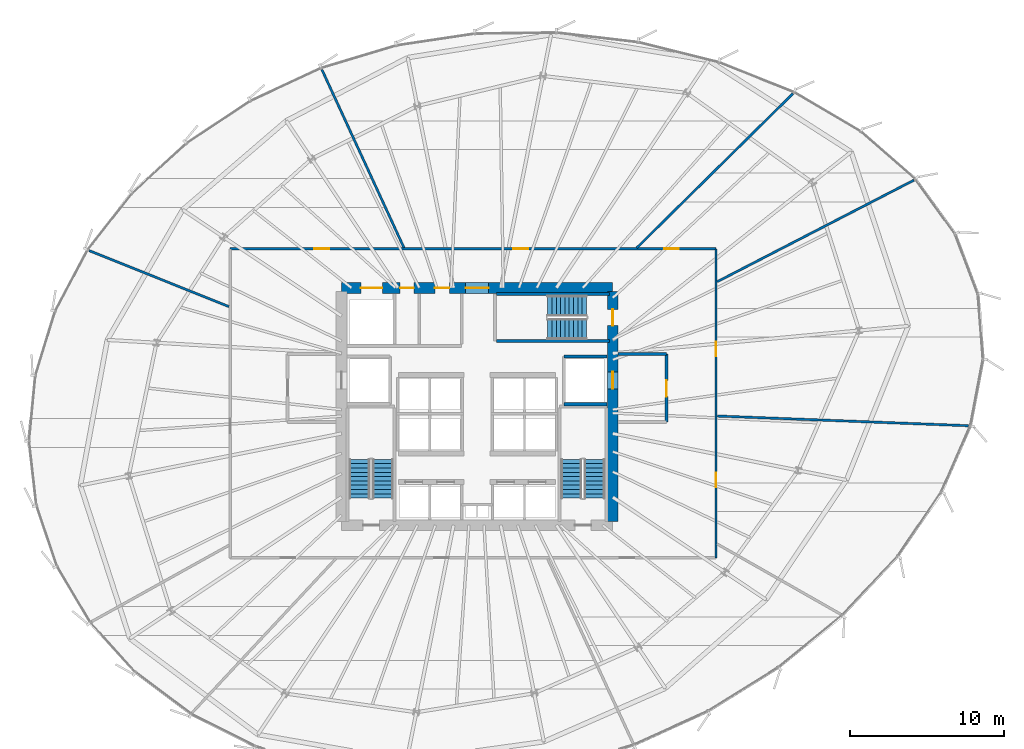
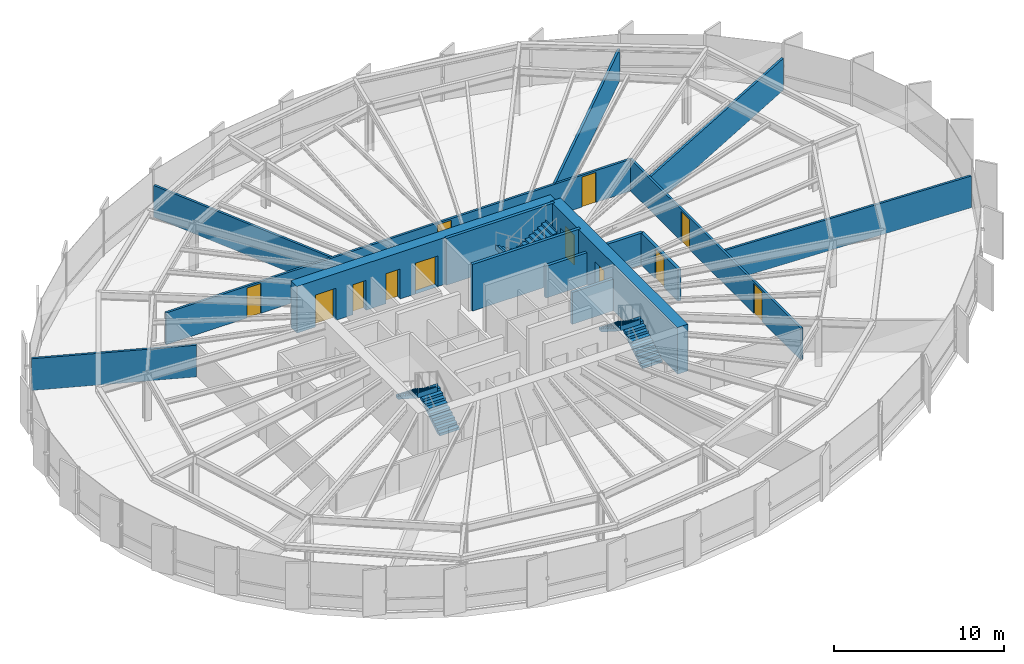
# One storey, part 30 of 35: 15 walls, 12 doors, 6 stair flights, 12 openings, 3 elements without a shape of their own.
"""IFC4 building model written with IfcOpenShell, lengths in metres."""

from ifc_helpers import new_model, si_unit, direction, frame, frame_2d, origin, place, context, subcontext, project, spatial, polyline, rectangle, outline, extrude, source, transform, mapped, material, layer, layer_set, type_object, element, fill, aggregate, save


model = new_model("IFC4")

# Units and contexts
model_context = context("Model", 3, precision=1e-05, world=origin(), true_north=direction((0.0, 1.0)))
body_context = subcontext(model_context, "Body", "Model", "MODEL_VIEW")
ifc_project = project(units=[si_unit("LENGTHUNIT", "METRE"), si_unit("AREAUNIT", "SQUARE_METRE"), si_unit("VOLUMEUNIT", "CUBIC_METRE"), si_unit("PLANEANGLEUNIT", "RADIAN"), si_unit("MASSUNIT", "GRAM", prefix="KILO"), si_unit("THERMODYNAMICTEMPERATUREUNIT", "KELVIN")], contexts=[model_context])

# Site, building, storey
site_placement = place(None, origin())
site = spatial("IfcSite", under=ifc_project, at=site_placement, CompositionType="ELEMENT")
building_placement = place(site_placement, origin())
building = spatial("IfcBuilding", under=site, at=building_placement, Name="Kethvar Cultural Tower", CompositionType="ELEMENT")
storey_placement = place(building_placement, frame((0.0, 0.0, 85.60009765625)))
storey = spatial("IfcBuildingStorey", under=building, at=storey_placement, Name="L20", CompositionType="ELEMENT", Elevation=85.60009765625)

# Wall, openings, doors
ifc_material_1 = material(Name="Concrete C60/75", Category="concrete")
ifc_layer_1 = layer(ifc_material_1, 0.699951171875, Name="Concrete C60/75", Category="concrete")
ifc_layer_set_1 = layer_set([ifc_layer_1], Name="Concrete C60/75 (700 mm)")
wall_type_1 = type_object("IfcWallType", Name="WL-CORE-700", PredefinedType="SHEAR", material=ifc_layer_set_1)
wall_1_placement = place(storey_placement, frame((55.60009765625, 35.5, 0.0), z_axis=(0.0, 0.0, 1.0), x_axis=(-1.0, 0.0, 0.0)))
wall_1 = element("IfcWall", 1, at=wall_1_placement, inside=storey, type_object=wall_type_1, Name="L20 Core Shear Wall N", PredefinedType="SHEAR", context=body_context, shape_type="SweptSolid", body=[
    extrude(rectangle(XDim=17.60009765625, YDim=0.699951171875, at=frame_2d((8.800048828125, 0.0))), origin(), (0.0, 0.0, 1.0), 3.349853515625),
])
opening_1_placement = place(wall_1_placement, frame((8.050048828125, 0.0, 0.0)))
opening_1 = element("IfcOpeningElement", 2, at=opening_1_placement, cuts=wall_1, Name="Opening D-L20-LN", PredefinedType="OPENING", context=body_context, shape_type="SweptSolid", body=[
    extrude(rectangle(XDim=1.5, YDim=2.199951171875, at=frame_2d((0.75, 1.10009765625))), frame((0.0, 0.35986328125, 0.0), z_axis=(0.0, -1.0, 0.0), x_axis=(1.0, 0.0, 0.0)), (0.0, 0.0, 1.0), 0.719970703125),
])
opening_2_placement = place(wall_1_placement, frame((14.949951171875, 0.0, 0.0)))
opening_2 = element("IfcOpeningElement", 3, at=opening_2_placement, cuts=wall_1, Name="Opening LD-G1", PredefinedType="OPENING", context=body_context, shape_type="SweptSolid", body=[
    extrude(rectangle(XDim=1.39990234375, YDim=2.300048828125, at=frame_2d((0.699951171875, 1.14990234375))), frame((0.0, 0.35986328125, 0.0), z_axis=(0.0, -1.0, 0.0), x_axis=(1.0, 0.0, 0.0)), (0.0, 0.0, 1.0), 0.719970703125),
])
opening_3_placement = place(wall_1_placement, frame((12.89990234375, 0.0, 0.0)))
opening_3 = element("IfcOpeningElement", 4, at=opening_3_placement, cuts=wall_1, Name="Opening D-L20-W1", PredefinedType="OPENING", context=body_context, shape_type="SweptSolid", body=[
    extrude(rectangle(XDim=0.89990234375, YDim=2.14990234375, at=frame_2d((0.449951171875, 1.074951171875))), frame((0.0, 0.35986328125, 0.0), z_axis=(0.0, -1.0, 0.0), x_axis=(1.0, 0.0, 0.0)), (0.0, 0.0, 1.0), 0.719970703125),
])
opening_4_placement = place(wall_1_placement, frame((10.60009765625, 0.0, 0.0)))
opening_4 = element("IfcOpeningElement", 5, at=opening_4_placement, cuts=wall_1, Name="Opening D-L20-W2", PredefinedType="OPENING", context=body_context, shape_type="SweptSolid", body=[
    extrude(rectangle(XDim=0.949951171875, YDim=2.14990234375, at=frame_2d((0.47509765625, 1.074951171875))), frame((0.0, 0.35986328125, 0.0), z_axis=(0.0, -1.0, 0.0), x_axis=(1.0, 0.0, 0.0)), (0.0, 0.0, 1.0), 0.719970703125),
])
ifc_material_2 = material(Name="Architectural Oak Timber", Category="wood")
door_type_1 = type_object("IfcDoorType", Name="DR-DBL-FD60-1500", OperationType="DOUBLE_DOOR_SINGLE_SWING", PredefinedType="DOOR", material=ifc_material_2)
shared_shape_1 = source(origin(), body_context, "Body", "SweptSolid", [
    extrude(rectangle(XDim=1.5, YDim=2.199951171875, at=frame_2d((0.75, 1.10009765625))), frame((0.0, 0.02490234375, 0.0), z_axis=(0.0, -1.0, 0.0), x_axis=(1.0, 0.0, 0.0)), (0.0, 0.0, 1.0), 0.050048828125),
])
door_1_placement = place(opening_1_placement, origin())
door_1 = element("IfcDoor", 6, at=door_1_placement, inside=storey, type_object=door_type_1, Name="L20 Lift Lobby Concourse Door", OperationType="DOUBLE_DOOR_SINGLE_SWING", OverallHeight=2.199951171875, OverallWidth=1.5, PredefinedType="DOOR", context=body_context, shape_type="MappedRepresentation", body=[
    mapped(shared_shape_1, transform((0.0, 0.0, 0.0), scale=1.0)),
])
fill(opening_1, door_1)
ifc_material_3 = material(Name="Steel S355J2", Category="steel")
door_type_2 = type_object("IfcDoorType", Name="DR-LIFT-SLIDE-1400", OperationType="NOTDEFINED", PredefinedType="DOOR", material=ifc_material_3)
shared_shape_2 = source(origin(), body_context, "Body", "SweptSolid", [
    extrude(rectangle(XDim=1.39990234375, YDim=2.300048828125, at=frame_2d((0.699951171875, 1.14990234375))), frame((0.0, 0.02490234375, 0.0), z_axis=(0.0, -1.0, 0.0), x_axis=(1.0, 0.0, 0.0)), (0.0, 0.0, 1.0), 0.050048828125),
])
door_2_placement = place(opening_2_placement, origin())
door_2 = element("IfcDoor", 7, at=door_2_placement, inside=storey, type_object=door_type_2, Name="L20 Goods Lift Landing Door", OperationType="SLIDING_TO_RIGHT", OverallHeight=2.300048828125, OverallWidth=1.39990234375, PredefinedType="DOOR", context=body_context, shape_type="MappedRepresentation", body=[
    mapped(shared_shape_2, transform((0.0, 0.0, 0.0), scale=1.0)),
])
fill(opening_2, door_2)
door_type_3 = type_object("IfcDoorType", Name="DR-FD30-950", OperationType="NOTDEFINED", PredefinedType="DOOR", material=ifc_material_2)
shared_shape_3 = source(origin(), body_context, "Body", "SweptSolid", [
    extrude(rectangle(XDim=0.949951171875, YDim=2.14990234375, at=frame_2d((0.47509765625, 1.074951171875))), frame((0.0, 0.02490234375, 0.0), z_axis=(0.0, -1.0, 0.0), x_axis=(1.0, 0.0, 0.0)), (0.0, 0.0, 1.0), 0.050048828125),
])
door_3_placement = place(opening_4_placement, origin())
door_3 = element("IfcDoor", 8, at=door_3_placement, inside=storey, type_object=door_type_3, Name="L20 Public Washroom Door", OperationType="SINGLE_SWING_RIGHT", OverallHeight=2.14990234375, OverallWidth=0.949951171875, PredefinedType="DOOR", context=body_context, shape_type="MappedRepresentation", body=[
    mapped(shared_shape_3, transform((0.0, 0.0, 0.0), scale=1.0)),
])
fill(opening_4, door_3)
door_type_4 = type_object("IfcDoorType", Name="DR-FD30-900", OperationType="NOTDEFINED", PredefinedType="DOOR", material=ifc_material_2)
shared_shape_4 = source(origin(), body_context, "Body", "SweptSolid", [
    extrude(rectangle(XDim=0.89990234375, YDim=2.14990234375, at=frame_2d((0.449951171875, 1.074951171875))), frame((0.0, 0.02490234375, 0.0), z_axis=(0.0, -1.0, 0.0), x_axis=(1.0, 0.0, 0.0)), (0.0, 0.0, 1.0), 0.050048828125),
])
door_4_placement = place(opening_3_placement, origin())
door_4 = element("IfcDoor", 9, at=door_4_placement, inside=storey, type_object=door_type_4, Name="L20 Accessible Washroom Door", OperationType="SINGLE_SWING_LEFT", OverallHeight=2.14990234375, OverallWidth=0.89990234375, PredefinedType="DOOR", context=body_context, shape_type="MappedRepresentation", body=[
    mapped(shared_shape_4, transform((0.0, 0.0, 0.0), scale=1.0)),
])
fill(opening_3, door_4)

wall_2_placement = place(storey_placement, frame((55.60009765625, 20.340087890625, 0.0), z_axis=(0.0, 0.0, 1.0), x_axis=(0.0, 1.0, 0.0)))
wall_2 = element("IfcWall", 10, at=wall_2_placement, inside=storey, type_object=wall_type_1, Name="L20 Core Shear Wall E", PredefinedType="SHEAR", context=body_context, shape_type="SweptSolid", body=[
    extrude(rectangle(XDim=14.919921875, YDim=0.699951171875, at=frame_2d((7.4599609375, 0.0))), origin(), (0.0, 0.0, 1.0), 3.349853515625),
])
opening_5_placement = place(wall_2_placement, frame((12.7099609375, 0.0, 0.0)))
opening_5 = element("IfcOpeningElement", 11, at=opening_5_placement, cuts=wall_2, Name="Opening D-L20-S3", PredefinedType="OPENING", context=body_context, shape_type="SweptSolid", body=[
    extrude(rectangle(XDim=1.050048828125, YDim=2.14990234375, at=frame_2d((0.52490234375, 1.074951171875))), frame((0.0, 0.35986328125, 0.0), z_axis=(0.0, -1.0, 0.0), x_axis=(1.0, 0.0, 0.0)), (0.0, 0.0, 1.0), 0.719970703125),
])
opening_6_placement = place(wall_2_placement, frame((8.610107421875, 0.0, 0.0)))
opening_6 = element("IfcOpeningElement", 12, at=opening_6_placement, cuts=wall_2, Name="Opening LD-2", PredefinedType="OPENING", context=body_context, shape_type="SweptSolid", body=[
    extrude(rectangle(XDim=1.10009765625, YDim=2.199951171875, at=frame_2d((0.550048828125, 1.10009765625))), frame((0.0, 0.35986328125, 0.0), z_axis=(0.0, -1.0, 0.0), x_axis=(1.0, 0.0, 0.0)), (0.0, 0.0, 1.0), 0.719970703125),
])
door_type_5 = type_object("IfcDoorType", Name="DR-FD60-1050", OperationType="NOTDEFINED", PredefinedType="DOOR", material=ifc_material_3)
shared_shape_5 = source(origin(), body_context, "Body", "SweptSolid", [
    extrude(rectangle(XDim=1.050048828125, YDim=2.14990234375, at=frame_2d((0.52490234375, 1.074951171875))), frame((0.0, 0.02490234375, 0.0), z_axis=(0.0, -1.0, 0.0), x_axis=(1.0, 0.0, 0.0)), (0.0, 0.0, 1.0), 0.050048828125),
])
door_5_placement = place(opening_5_placement, origin())
door_5 = element("IfcDoor", 13, at=door_5_placement, inside=storey, type_object=door_type_5, Name="L20 Exit Stair 3 Door", OperationType="SINGLE_SWING_LEFT", OverallHeight=2.14990234375, OverallWidth=1.050048828125, PredefinedType="DOOR", context=body_context, shape_type="MappedRepresentation", body=[
    mapped(shared_shape_5, transform((0.0, 0.0, 0.0), scale=1.0)),
])
fill(opening_5, door_5)
door_type_6 = type_object("IfcDoorType", Name="DR-LIFT-SLIDE-1100", OperationType="NOTDEFINED", PredefinedType="DOOR", material=ifc_material_3)
shared_shape_6 = source(origin(), body_context, "Body", "SweptSolid", [
    extrude(rectangle(XDim=1.10009765625, YDim=2.199951171875, at=frame_2d((0.550048828125, 1.10009765625))), frame((0.0, 0.02490234375, 0.0), z_axis=(0.0, -1.0, 0.0), x_axis=(1.0, 0.0, 0.0)), (0.0, 0.0, 1.0), 0.050048828125),
])
door_6_placement = place(opening_6_placement, origin())
door_6 = element("IfcDoor", 14, at=door_6_placement, inside=storey, type_object=door_type_6, Name="L20 Firefighting Lift Landing Door FFL-02", OperationType="SLIDING_TO_RIGHT", OverallHeight=2.199951171875, OverallWidth=1.10009765625, PredefinedType="DOOR", context=body_context, shape_type="MappedRepresentation", body=[
    mapped(shared_shape_6, transform((0.0, 0.0, 0.0), scale=1.0)),
])
fill(opening_6, door_6)

ifc_material_4 = material(Name="Gypsum Fireboard Partition")
ifc_layer_2 = layer(ifc_material_4, 0.14990234375, Name="Gypsum Fireboard Partition")
ifc_layer_set_2 = layer_set([ifc_layer_2], Name="Gypsum Fireboard Partition (150 mm)")
wall_type_2 = type_object("IfcWallType", Name="WL-FIRE-150", PredefinedType="PARTITIONING", material=ifc_layer_set_2)
wall_3_placement = place(storey_placement, frame((62.31005859375, 17.97998046875, 0.0), z_axis=(0.0, 0.0, 1.0), x_axis=(0.0, 1.0, 0.0)))
wall_3 = element("IfcWall", 15, at=wall_3_placement, inside=storey, type_object=wall_type_2, Name="L20 Corridor Rated Wall E", PredefinedType="PARTITIONING", context=body_context, shape_type="SweptSolid", body=[
    extrude(rectangle(XDim=20.06005859375, YDim=0.14990234375, at=frame_2d((10.030029296875, 0.0))), origin(), (0.0, 0.0, 1.0), 2.27978515625),
])
opening_7_placement = place(wall_3_placement, frame((4.57568359375, 0.0, 0.0)))
opening_7 = element("IfcOpeningElement", 16, at=opening_7_placement, cuts=wall_3, Name="Opening D-L20-04", PredefinedType="OPENING", context=body_context, shape_type="SweptSolid", body=[
    extrude(rectangle(XDim=0.949951171875, YDim=2.14990234375, at=frame_2d((0.47509765625, 1.074951171875))), frame((0.0, 0.0849609375, 0.0), z_axis=(0.0, -1.0, 0.0), x_axis=(1.0, 0.0, 0.0)), (0.0, 0.0, 1.0), 0.169921875),
])
opening_8_placement = place(wall_3_placement, frame((13.087158203125, 0.0, 0.0)))
opening_8 = element("IfcOpeningElement", 17, at=opening_8_placement, cuts=wall_3, Name="Opening D-L20-05", PredefinedType="OPENING", context=body_context, shape_type="SweptSolid", body=[
    extrude(rectangle(XDim=0.949951171875, YDim=2.14990234375, at=frame_2d((0.47509765625, 1.074951171875))), frame((0.0, 0.0849609375, 0.0), z_axis=(0.0, -1.0, 0.0), x_axis=(1.0, 0.0, 0.0)), (0.0, 0.0, 1.0), 0.169921875),
])
door_7_placement = place(opening_7_placement, origin())
door_7 = element("IfcDoor", 18, at=door_7_placement, inside=storey, type_object=door_type_3, Name="L20 Policy Research Workspace 04 Door", OperationType="SINGLE_SWING_RIGHT", OverallHeight=2.14990234375, OverallWidth=0.949951171875, PredefinedType="DOOR", context=body_context, shape_type="MappedRepresentation", body=[
    mapped(shared_shape_3, transform((0.0, 0.0, 0.0), scale=1.0)),
])
fill(opening_7, door_7)
door_8_placement = place(opening_8_placement, origin())
door_8 = element("IfcDoor", 19, at=door_8_placement, inside=storey, type_object=door_type_3, Name="L20 Fellows' Study Workspace 05 Door", OperationType="SINGLE_SWING_LEFT", OverallHeight=2.14990234375, OverallWidth=0.949951171875, PredefinedType="DOOR", context=body_context, shape_type="MappedRepresentation", body=[
    mapped(shared_shape_3, transform((0.0, 0.0, 0.0), scale=1.0)),
])
fill(opening_8, door_8)

wall_4_placement = place(storey_placement, frame((62.31005859375, 38.0400390625, 0.0), z_axis=(0.0, 0.0, 1.0), x_axis=(-1.0, 0.0, 0.0)))
wall_4 = element("IfcWall", 20, at=wall_4_placement, inside=storey, type_object=wall_type_2, Name="L20 Corridor Rated Wall N", PredefinedType="PARTITIONING", context=body_context, shape_type="SweptSolid", body=[
    extrude(rectangle(XDim=31.5400390625, YDim=0.14990234375, at=frame_2d((15.77001953125, 0.0))), origin(), (0.0, 0.0, 1.0), 2.27978515625),
])
opening_9_placement = place(wall_4_placement, frame((2.419189453125, 0.0, 0.0)))
opening_9 = element("IfcOpeningElement", 21, at=opening_9_placement, cuts=wall_4, Name="Opening D-L20-06", PredefinedType="OPENING", context=body_context, shape_type="SweptSolid", body=[
    extrude(rectangle(XDim=0.949951171875, YDim=2.14990234375, at=frame_2d((0.47509765625, 1.074951171875))), frame((0.0, 0.0849609375, 0.0), z_axis=(0.0, -1.0, 0.0), x_axis=(1.0, 0.0, 0.0)), (0.0, 0.0, 1.0), 0.169921875),
])
opening_10_placement = place(wall_4_placement, frame((12.19873046875, 0.0, 0.0)))
opening_10 = element("IfcOpeningElement", 22, at=opening_10_placement, cuts=wall_4, Name="Opening D-L20-07", PredefinedType="OPENING", context=body_context, shape_type="SweptSolid", body=[
    extrude(rectangle(XDim=0.949951171875, YDim=2.14990234375, at=frame_2d((0.47509765625, 1.074951171875))), frame((0.0, 0.0849609375, 0.0), z_axis=(0.0, -1.0, 0.0), x_axis=(1.0, 0.0, 0.0)), (0.0, 0.0, 1.0), 0.169921875),
])
opening_11_placement = place(wall_4_placement, frame((25.119384765625, 0.0, 0.0)))
opening_11 = element("IfcOpeningElement", 23, at=opening_11_placement, cuts=wall_4, Name="Opening D-L20-08", PredefinedType="OPENING", context=body_context, shape_type="SweptSolid", body=[
    extrude(rectangle(XDim=0.949951171875, YDim=2.14990234375, at=frame_2d((0.47509765625, 1.074951171875))), frame((0.0, 0.0849609375, 0.0), z_axis=(0.0, -1.0, 0.0), x_axis=(1.0, 0.0, 0.0)), (0.0, 0.0, 1.0), 0.169921875),
])
door_9_placement = place(opening_9_placement, origin())
door_9 = element("IfcDoor", 24, at=door_9_placement, inside=storey, type_object=door_type_3, Name="L20 Decorative Arts Craft Workshop 06 Door", OperationType="SINGLE_SWING_RIGHT", OverallHeight=2.14990234375, OverallWidth=0.949951171875, PredefinedType="DOOR", context=body_context, shape_type="MappedRepresentation", body=[
    mapped(shared_shape_3, transform((0.0, 0.0, 0.0), scale=1.0)),
])
fill(opening_9, door_9)
door_10_placement = place(opening_10_placement, origin())
door_10 = element("IfcDoor", 25, at=door_10_placement, inside=storey, type_object=door_type_3, Name="L20 Members' Refreshment Kitchenette 07 Door", OperationType="SINGLE_SWING_LEFT", OverallHeight=2.14990234375, OverallWidth=0.949951171875, PredefinedType="DOOR", context=body_context, shape_type="MappedRepresentation", body=[
    mapped(shared_shape_3, transform((0.0, 0.0, 0.0), scale=1.0)),
])
fill(opening_10, door_10)
door_11_placement = place(opening_11_placement, origin())
door_11 = element("IfcDoor", 26, at=door_11_placement, inside=storey, type_object=door_type_3, Name="L20 Design Review Boardroom 08 Door", OperationType="SINGLE_SWING_RIGHT", OverallHeight=2.14990234375, OverallWidth=0.949951171875, PredefinedType="DOOR", context=body_context, shape_type="MappedRepresentation", body=[
    mapped(shared_shape_3, transform((0.0, 0.0, 0.0), scale=1.0)),
])
fill(opening_11, door_11)

# Walls
ifc_material_5 = material(Name="Concrete C40/50", Category="concrete")
ifc_layer_3 = layer(ifc_material_5, 0.199951171875, Name="Concrete C40/50", Category="concrete")
ifc_layer_set_3 = layer_set([ifc_layer_3], Name="Concrete C40/50 (200 mm)")
wall_type_3 = type_object("IfcWallType", Name="WL-FIRE-200", PredefinedType="PARTITIONING", material=ifc_layer_set_3)
for number, where, z_axis, x_axis, name in (
    (27, (52.449951171875, 27.949951171875, 0.0), (0.0, 0.0, 1.0), (1.0, 0.0, 0.0), "L20 FFL-02 Shaft South Wall"),
    (28, (52.449951171875, 31.050048828125, 0.0), (0.0, 0.0, 1.0), (1.0, 0.0, 0.0), "L20 FFL-02 Shaft North Wall"),
):
    element("IfcWall", number, at=place(storey_placement, frame(where, z_axis=z_axis, x_axis=x_axis)), inside=storey, type_object=wall_type_3, Name=name, PredefinedType="PARTITIONING", context=body_context, shape_type="SweptSolid", body=[
        extrude(rectangle(XDim=2.7900390625, YDim=0.199951171875, at=frame_2d((1.39501953125, 0.0))), origin(), (0.0, 0.0, 1.0), 2.27978515625),
    ])

# Wall, opening, door
wall_5_placement = place(storey_placement, frame((59.10009765625, 26.800048828125, 0.0), z_axis=(0.0, 0.0, 1.0), x_axis=(0.0, 1.0, 0.0)))
wall_5 = element("IfcWall", 29, at=wall_5_placement, inside=storey, type_object=wall_type_3, Name="L20 Firefighting Lobby 2 Wall", PredefinedType="PARTITIONING", context=body_context, shape_type="SweptSolid", body=[
    extrude(rectangle(XDim=4.39990234375, YDim=0.199951171875, at=frame_2d((2.199951171875, 0.0))), origin(), (0.0, 0.0, 1.0), 2.27978515625),
])
opening_12_placement = place(wall_5_placement, frame((1.64990234375, 0.0, 0.0)))
opening_12 = element("IfcOpeningElement", 30, at=opening_12_placement, cuts=wall_5, Name="Opening D-L20-F2", PredefinedType="OPENING", context=body_context, shape_type="SweptSolid", body=[
    extrude(rectangle(XDim=1.050048828125, YDim=2.14990234375, at=frame_2d((0.52490234375, 1.074951171875))), frame((0.0, 0.10986328125, 0.0), z_axis=(0.0, -1.0, 0.0), x_axis=(1.0, 0.0, 0.0)), (0.0, 0.0, 1.0), 0.219970703125),
])
door_12_placement = place(opening_12_placement, origin())
door_12 = element("IfcDoor", 31, at=door_12_placement, inside=storey, type_object=door_type_5, Name="L20 Firefighting Lobby 2 Fire Door", OperationType="SINGLE_SWING_LEFT", OverallHeight=2.14990234375, OverallWidth=1.050048828125, PredefinedType="DOOR", context=body_context, shape_type="MappedRepresentation", body=[
    mapped(shared_shape_5, transform((0.0, 0.0, 0.0), scale=1.0)),
])
fill(opening_12, door_12)

# Walls
wall_6_placement = place(storey_placement, frame((55.9599609375, 31.199951171875, 0.0), z_axis=(0.0, 0.0, 1.0), x_axis=(1.0, 0.0, 0.0)))
element("IfcWall", 32, at=wall_6_placement, inside=storey, type_object=wall_type_3, Name="L20 FF Lobby 2 North Wall", PredefinedType="PARTITIONING", context=body_context, shape_type="SweptSolid", body=[
    extrude(rectangle(XDim=3.14013671875, YDim=0.199951171875, at=frame_2d((1.570068359375, 0.0))), origin(), (0.0, 0.0, 1.0), 2.27978515625),
])
ifc_material_6 = material(Name="Gypsum Acoustic Partition")
ifc_layer_4 = layer(ifc_material_6, 0.14990234375, Name="Gypsum Acoustic Partition")
ifc_layer_set_4 = layer_set([ifc_layer_4], Name="Gypsum Acoustic Partition (150 mm)")
wall_type_4 = type_object("IfcWallType", Name="WL-PART-150", PredefinedType="PARTITIONING", material=ifc_layer_set_4)
wall_7_placement = place(storey_placement, frame((62.389892578125, 27.1826171875, 0.0), z_axis=(0.0, 0.0, 1.0), x_axis=(0.999256152386, -0.038563479088, 0.0)))
element("IfcWall", 33, at=wall_7_placement, inside=storey, type_object=wall_type_4, Name="L20 Radial Partition Wall 05", PredefinedType="PARTITIONING", context=body_context, shape_type="SweptSolid", body=[
    extrude(rectangle(XDim=16.327392578125, YDim=0.14990234375, at=frame_2d((8.16357421875, 0.0))), origin(), (0.0, 0.0, 1.0), 2.27978515625),
])
wall_8_placement = place(storey_placement, frame((62.381103515625, 35.89990234375, 0.0), z_axis=(0.0, 0.0, 1.0), x_axis=(0.888592298941, 0.458697859449, 0.0)))
element("IfcWall", 34, at=wall_8_placement, inside=storey, type_object=wall_type_4, Name="L20 Radial Partition Wall 06", PredefinedType="PARTITIONING", context=body_context, shape_type="SweptSolid", body=[
    extrude(rectangle(XDim=14.37548828125, YDim=0.14990234375, at=frame_2d((7.187744140625, 0.0))), origin(), (0.0, 0.0, 1.0), 2.27978515625),
])
wall_9_placement = place(storey_placement, frame((57.15869140625, 38.09619140625, 0.0), z_axis=(0.0, 0.0, 1.0), x_axis=(0.711460184379, 0.702726409098, 0.0)))
element("IfcWall", 35, at=wall_9_placement, inside=storey, type_object=wall_type_4, Name="L20 Radial Partition Wall 07", PredefinedType="PARTITIONING", context=body_context, shape_type="SweptSolid", body=[
    extrude(rectangle(XDim=14.25634765625, YDim=0.14990234375, at=frame_2d((7.128173828125, 0.0))), origin(), (0.0, 0.0, 1.0), 2.27978515625),
])
wall_10_placement = place(storey_placement, frame((42.048095703125, 38.11279296875, 0.0), z_axis=(0.0, 0.0, 1.0), x_axis=(-0.418444712676, 0.908242270781, 0.0)))
element("IfcWall", 36, at=wall_10_placement, inside=storey, type_object=wall_type_4, Name="L20 Radial Partition Wall 08", PredefinedType="PARTITIONING", context=body_context, shape_type="SweptSolid", body=[
    extrude(rectangle(XDim=12.721435546875, YDim=0.14990234375, at=frame_2d((6.36083984375, 0.0))), origin(), (0.0, 0.0, 1.0), 2.27978515625),
])
wall_11_placement = place(storey_placement, frame((30.69580078125, 34.28125, 0.0), z_axis=(0.0, 0.0, 1.0), x_axis=(-0.92813187897, 0.372251548337, 0.0)))
element("IfcWall", 37, at=wall_11_placement, inside=storey, type_object=wall_type_4, Name="L20 Radial Partition Wall 09", PredefinedType="PARTITIONING", context=body_context, shape_type="SweptSolid", body=[
    extrude(rectangle(XDim=9.77734375, YDim=0.14990234375, at=frame_2d((4.888671875, 0.0))), origin(), (0.0, 0.0, 1.0), 2.27978515625),
])
ifc_material_7 = material(Name="Concrete C50/60", Category="concrete")
ifc_layer_5 = layer(ifc_material_7, 0.199951171875, Name="Concrete C50/60", Category="concrete")
ifc_layer_set_5 = layer_set([ifc_layer_5], Name="Concrete C50/60 (200 mm)")
wall_type_5 = type_object("IfcWallType", Name="WL-STSHAFT-200", PredefinedType="SHEAR", material=ifc_layer_set_5)
for number, where, z_axis, x_axis, name in (
    (38, (48.050048828125, 35.110107421875, 0.0), (0.0, 0.0, 1.0), (1.0, 0.0, 0.0), "L20 ST-03 Stair Shaft Wall LEFT"),
    (39, (55.39990234375, 32.050048828125, 0.0), (0.0, 0.0, 1.0), (-1.0, 0.0, 0.0), "L20 ST-03 Stair Shaft Wall RIGHT"),
):
    element("IfcWall", number, at=place(storey_placement, frame(where, z_axis=z_axis, x_axis=x_axis)), inside=storey, type_object=wall_type_5, Name=name, PredefinedType="SHEAR", context=body_context, shape_type="SweptSolid", body=[
        extrude(rectangle(XDim=7.349853515625, YDim=0.199951171875, at=frame_2d((3.6748046875, 0.0))), origin(), (0.0, 0.0, 1.0), 3.349853515625),
    ])

# Stair, stair flights
stair_type = type_object("IfcStairType", Name="ST-DOGLEG-135", PredefinedType="HALF_TURN_STAIR", material=ifc_material_5)
stair_1_placement = place(storey_placement, origin())
stair_1 = element("IfcStair", 40, at=stair_1_placement, inside=storey, type_object=stair_type, Name="L20 Core Exit Stair 1", PredefinedType="HALF_TURN_STAIR")
stair_flight_type = type_object("IfcStairFlightType", Name="FL-STRAIGHT-135", PredefinedType="STRAIGHT", material=ifc_material_5)
stair_flight_1_placement = place(storey_placement, frame((40.675048828125, 21.85009765625, 0.0), z_axis=(0.0, 0.0, 1.0), x_axis=(0.0, 1.0, 0.0)))
stair_flight_1 = element("IfcStairFlight", 41, at=stair_flight_1_placement, type_object=stair_flight_type, Name="ST-01 flight 1", NumberOfRisers=10, NumberOfTreads=9, PredefinedType="STRAIGHT", RiserHeight=0.18, TreadLength=0.28, context=body_context, shape_type="SweptSolid", body=[
    extrude(outline(polyline([(-0.0009765625, -0.0009765625), (-0.0009765625, 0.179931640625), (0.280029296875, 0.179931640625), (0.280029296875, 0.360107421875), (0.56005859375, 0.360107421875), (0.56005859375, 0.5400390625), (0.840087890625, 0.5400390625), (0.840087890625, 0.719970703125), (1.1201171875, 0.719970703125), (1.1201171875, 0.89990234375), (1.39990234375, 0.89990234375), (1.39990234375, 1.080078125), (1.679931640625, 1.080078125), (1.679931640625, 1.260009765625), (1.9599609375, 1.260009765625), (1.9599609375, 1.43994140625), (2.239990234375, 1.43994140625), (2.239990234375, 1.6201171875), (2.52001953125, 1.6201171875), (2.52001953125, 1.800048828125), (2.52099609375, 1.800048828125), (2.52099609375, 1.44189453125), (0.277099609375, 0.0), (0.0, -0.0009765625), (-0.0009765625, -0.0009765625)])), frame((0.0, 0.675048828125, 0.0), z_axis=(0.0, -1.0, 0.0), x_axis=(1.0, 0.0, 0.0)), (0.0, 0.0, 1.0), 1.35009765625),
])
stair_flight_2_placement = place(storey_placement, frame((39.1650390625, 24.3701171875, 1.7998046875), z_axis=(0.0, 0.0, 1.0), x_axis=(0.0, -1.0, 0.0)))
stair_flight_2 = element("IfcStairFlight", 42, at=stair_flight_2_placement, type_object=stair_flight_type, Name="ST-01 flight 2", NumberOfRisers=10, NumberOfTreads=9, PredefinedType="STRAIGHT", RiserHeight=0.18, TreadLength=0.28, context=body_context, shape_type="SweptSolid", body=[
    extrude(outline(polyline([(-0.0009765625, -0.0009765625), (-0.0009765625, 0.179931640625), (0.280029296875, 0.179931640625), (0.280029296875, 0.360107421875), (0.56005859375, 0.360107421875), (0.56005859375, 0.5400390625), (0.840087890625, 0.5400390625), (0.840087890625, 0.719970703125), (1.1201171875, 0.719970703125), (1.1201171875, 0.89990234375), (1.39990234375, 0.89990234375), (1.39990234375, 1.080078125), (1.679931640625, 1.080078125), (1.679931640625, 1.260009765625), (1.9599609375, 1.260009765625), (1.9599609375, 1.43994140625), (2.239990234375, 1.43994140625), (2.239990234375, 1.6201171875), (2.52001953125, 1.6201171875), (2.52001953125, 1.800048828125), (2.52099609375, 1.800048828125), (2.52099609375, 1.44189453125), (0.277099609375, 0.0), (0.0, -0.0009765625), (-0.0009765625, -0.0009765625)])), frame((0.0, 0.675048828125, 0.0), z_axis=(0.0, -1.0, 0.0), x_axis=(1.0, 0.0, 0.0)), (0.0, 0.0, 1.0), 1.35009765625),
])
aggregate(stair_1, [stair_flight_1, stair_flight_2])

stair_2_placement = place(storey_placement, origin())
stair_2 = element("IfcStair", 43, at=stair_2_placement, inside=storey, type_object=stair_type, Name="L20 Core Exit Stair 2", PredefinedType="HALF_TURN_STAIR")
stair_flight_3_placement = place(storey_placement, frame((54.43505859375, 21.85009765625, 0.0), z_axis=(0.0, 0.0, 1.0), x_axis=(0.0, 1.0, 0.0)))
stair_flight_3 = element("IfcStairFlight", 44, at=stair_flight_3_placement, type_object=stair_flight_type, Name="ST-02 flight 1", NumberOfRisers=10, NumberOfTreads=9, PredefinedType="STRAIGHT", RiserHeight=0.18, TreadLength=0.28, context=body_context, shape_type="SweptSolid", body=[
    extrude(outline(polyline([(-0.0009765625, -0.0009765625), (-0.0009765625, 0.179931640625), (0.280029296875, 0.179931640625), (0.280029296875, 0.360107421875), (0.56005859375, 0.360107421875), (0.56005859375, 0.5400390625), (0.840087890625, 0.5400390625), (0.840087890625, 0.719970703125), (1.1201171875, 0.719970703125), (1.1201171875, 0.89990234375), (1.39990234375, 0.89990234375), (1.39990234375, 1.080078125), (1.679931640625, 1.080078125), (1.679931640625, 1.260009765625), (1.9599609375, 1.260009765625), (1.9599609375, 1.43994140625), (2.239990234375, 1.43994140625), (2.239990234375, 1.6201171875), (2.52001953125, 1.6201171875), (2.52001953125, 1.800048828125), (2.52099609375, 1.800048828125), (2.52099609375, 1.44189453125), (0.277099609375, 0.0), (0.0, -0.0009765625), (-0.0009765625, -0.0009765625)])), frame((0.0, 0.675048828125, 0.0), z_axis=(0.0, -1.0, 0.0), x_axis=(1.0, 0.0, 0.0)), (0.0, 0.0, 1.0), 1.35009765625),
])
stair_flight_4_placement = place(storey_placement, frame((52.925048828125, 24.3701171875, 1.7998046875), z_axis=(0.0, 0.0, 1.0), x_axis=(0.0, -1.0, 0.0)))
stair_flight_4 = element("IfcStairFlight", 45, at=stair_flight_4_placement, type_object=stair_flight_type, Name="ST-02 flight 2", NumberOfRisers=10, NumberOfTreads=9, PredefinedType="STRAIGHT", RiserHeight=0.18, TreadLength=0.28, context=body_context, shape_type="SweptSolid", body=[
    extrude(outline(polyline([(-0.0009765625, -0.0009765625), (-0.0009765625, 0.179931640625), (0.280029296875, 0.179931640625), (0.280029296875, 0.360107421875), (0.56005859375, 0.360107421875), (0.56005859375, 0.5400390625), (0.840087890625, 0.5400390625), (0.840087890625, 0.719970703125), (1.1201171875, 0.719970703125), (1.1201171875, 0.89990234375), (1.39990234375, 0.89990234375), (1.39990234375, 1.080078125), (1.679931640625, 1.080078125), (1.679931640625, 1.260009765625), (1.9599609375, 1.260009765625), (1.9599609375, 1.43994140625), (2.239990234375, 1.43994140625), (2.239990234375, 1.6201171875), (2.52001953125, 1.6201171875), (2.52001953125, 1.800048828125), (2.52099609375, 1.800048828125), (2.52099609375, 1.44189453125), (0.277099609375, 0.0), (0.0, -0.0009765625), (-0.0009765625, -0.0009765625)])), frame((0.0, 0.675048828125, 0.0), z_axis=(0.0, -1.0, 0.0), x_axis=(1.0, 0.0, 0.0)), (0.0, 0.0, 1.0), 1.35009765625),
])
aggregate(stair_2, [stair_flight_3, stair_flight_4])

stair_3_placement = place(storey_placement, origin())
stair_3 = element("IfcStair", 46, at=stair_3_placement, inside=storey, type_object=stair_type, Name="L20 Core Exit Stair 3", PredefinedType="HALF_TURN_STAIR")
stair_flight_5_placement = place(storey_placement, frame((53.89990234375, 34.3349609375, 0.0), z_axis=(0.0, 0.0, 1.0), x_axis=(-1.0, 0.0, 0.0)))
stair_flight_5 = element("IfcStairFlight", 47, at=stair_flight_5_placement, type_object=stair_flight_type, Name="ST-03 flight 1", NumberOfRisers=10, NumberOfTreads=9, PredefinedType="STRAIGHT", RiserHeight=0.18, TreadLength=0.28, context=body_context, shape_type="SweptSolid", body=[
    extrude(outline(polyline([(-0.0009765625, -0.0009765625), (-0.0009765625, 0.179931640625), (0.280029296875, 0.179931640625), (0.280029296875, 0.360107421875), (0.56005859375, 0.360107421875), (0.56005859375, 0.5400390625), (0.840087890625, 0.5400390625), (0.840087890625, 0.719970703125), (1.1201171875, 0.719970703125), (1.1201171875, 0.89990234375), (1.39990234375, 0.89990234375), (1.39990234375, 1.080078125), (1.679931640625, 1.080078125), (1.679931640625, 1.260009765625), (1.9599609375, 1.260009765625), (1.9599609375, 1.43994140625), (2.239990234375, 1.43994140625), (2.239990234375, 1.6201171875), (2.52001953125, 1.6201171875), (2.52001953125, 1.800048828125), (2.52099609375, 1.800048828125), (2.52099609375, 1.44189453125), (0.277099609375, 0.0), (0.0, -0.0009765625), (-0.0009765625, -0.0009765625)])), frame((0.0, 0.675048828125, 0.0), z_axis=(0.0, -1.0, 0.0), x_axis=(1.0, 0.0, 0.0)), (0.0, 0.0, 1.0), 1.35009765625),
])
stair_flight_6_placement = place(storey_placement, frame((51.3798828125, 32.824951171875, 1.7998046875), z_axis=(0.0, 0.0, 1.0), x_axis=(1.0, 0.0, 0.0)))
stair_flight_6 = element("IfcStairFlight", 48, at=stair_flight_6_placement, type_object=stair_flight_type, Name="ST-03 flight 2", NumberOfRisers=10, NumberOfTreads=9, PredefinedType="STRAIGHT", RiserHeight=0.18, TreadLength=0.28, context=body_context, shape_type="SweptSolid", body=[
    extrude(outline(polyline([(-0.0009765625, -0.0009765625), (-0.0009765625, 0.179931640625), (0.280029296875, 0.179931640625), (0.280029296875, 0.360107421875), (0.56005859375, 0.360107421875), (0.56005859375, 0.5400390625), (0.840087890625, 0.5400390625), (0.840087890625, 0.719970703125), (1.1201171875, 0.719970703125), (1.1201171875, 0.89990234375), (1.39990234375, 0.89990234375), (1.39990234375, 1.080078125), (1.679931640625, 1.080078125), (1.679931640625, 1.260009765625), (1.9599609375, 1.260009765625), (1.9599609375, 1.43994140625), (2.239990234375, 1.43994140625), (2.239990234375, 1.6201171875), (2.52001953125, 1.6201171875), (2.52001953125, 1.800048828125), (2.52099609375, 1.800048828125), (2.52099609375, 1.44189453125), (0.277099609375, 0.0), (0.0, -0.0009765625), (-0.0009765625, -0.0009765625)])), frame((0.0, 0.675048828125, 0.0), z_axis=(0.0, -1.0, 0.0), x_axis=(1.0, 0.0, 0.0)), (0.0, 0.0, 1.0), 1.35009765625),
])
aggregate(stair_3, [stair_flight_5, stair_flight_6])

save(model, "model.ifc")
